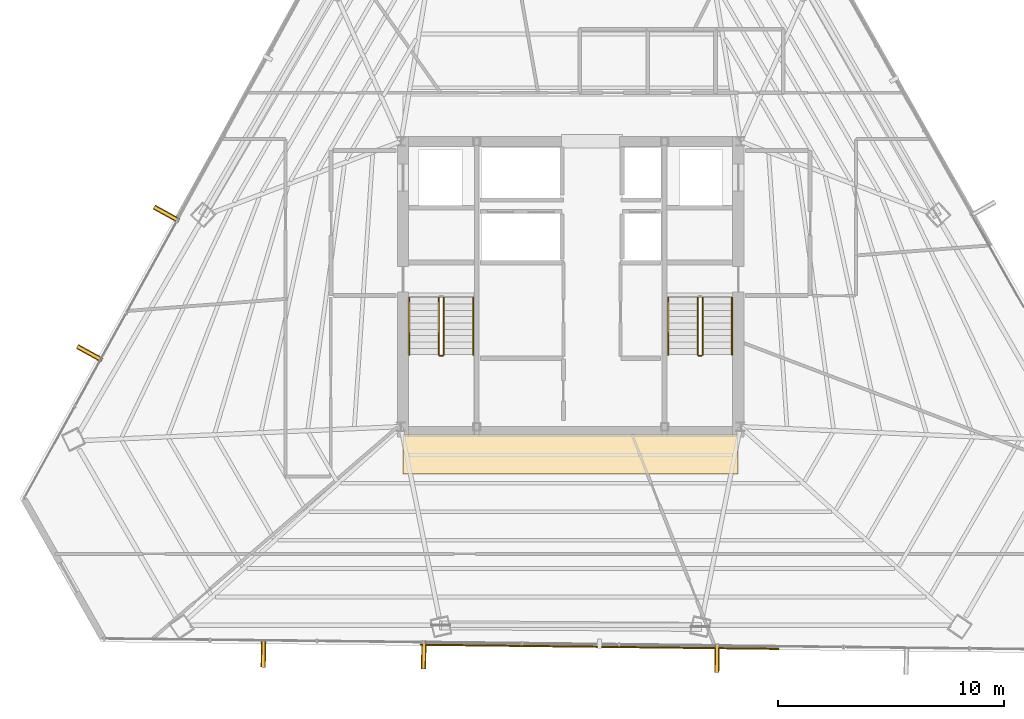
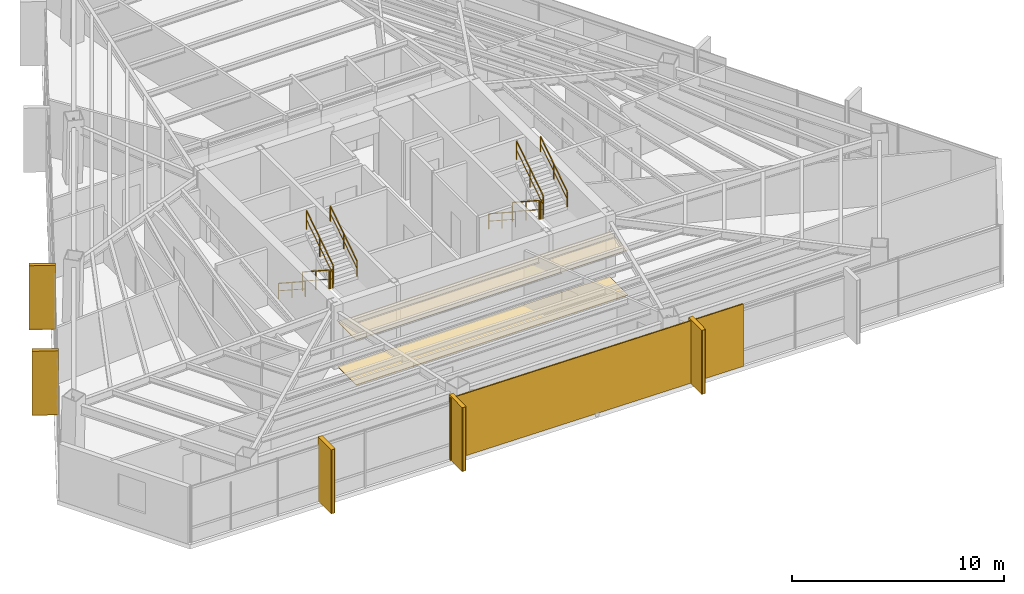
# One storey, part 38 of 40: 10 railings, 7 coverings, 6 shading devices.
"""IFC4 building model written with IfcOpenShell, lengths in metres."""

from ifc_helpers import new_model, si_unit, direction, frame, origin, origin_2d, place, context, subcontext, project, spatial, polyline, rectangle, outline, extrude, source, transform, mapped, material, layer, layer_set, type_object, type_shapes, element, save


model = new_model("IFC4")

# Units and contexts
model_context = context("Model", 3, precision=1e-05, world=origin(), true_north=direction((0.0, 1.0)))
body_context = subcontext(model_context, "Body", "Model", "MODEL_VIEW")
ifc_project = project(units=[si_unit("LENGTHUNIT", "METRE"), si_unit("AREAUNIT", "SQUARE_METRE"), si_unit("VOLUMEUNIT", "CUBIC_METRE"), si_unit("PLANEANGLEUNIT", "RADIAN"), si_unit("MASSUNIT", "GRAM", prefix="KILO")], contexts=[model_context])

# Site, building, storey
site_placement = place(None, origin())
site = spatial("IfcSite", under=ifc_project, at=site_placement, CompositionType="ELEMENT")
building_placement = place(site_placement, origin())
building = spatial("IfcBuilding", under=site, at=building_placement, Name="Caelisora Broadcast Tower", CompositionType="ELEMENT")
storey_placement = place(building_placement, frame((0.0, 0.0, 216.89990234375)))
storey = spatial("IfcBuildingStorey", under=building, at=storey_placement, Name="L57", CompositionType="ELEMENT", Elevation=216.89990234375)

# Coverings
ifc_material_1 = material(Name="Perforated Mineral-Fibre Acoustic Ceiling Tile", Category="gypsum")
ifc_layer_1 = layer(ifc_material_1, 0.034912109375, Name="Perforated Mineral-Fibre Acoustic Ceiling Tile")
ifc_layer_set_1 = layer_set([ifc_layer_1], Name="Perforated Mineral-Fibre Acoustic Ceiling Tile")
covering_type_1 = type_object("IfcCoveringType", Name="CE-1", PredefinedType="CEILING", material=ifc_layer_set_1)
covering_1_placement = place(storey_placement, frame((0.0, 0.0, 2.60009765625)))
element("IfcCovering", 1, at=covering_1_placement, inside=storey, type_object=covering_type_1, Name="L57 acoustic corridor ceiling CE-1 (S)", PredefinedType="CEILING", context=body_context, shape_type="SweptSolid", body=[
    extrude(outline(polyline([(30.60009765625, 15.300048828125), (45.39990234375, 15.300048828125), (45.39990234375, 17.050048828125), (30.60009765625, 17.050048828125), (30.60009765625, 15.300048828125)])), origin(), (0.0, 0.0, 1.0), 0.034912109375),
])
ifc_material_2 = material(Name="Anti-Static Broadcast Raised Access Floor Panel", Category="steel")
ifc_layer_2 = layer(ifc_material_2, 0.044921875, Name="Anti-Static Broadcast Raised Access Floor Panel")
ifc_layer_set_2 = layer_set([ifc_layer_2], Name="Anti-Static Broadcast Raised Access Floor Panel")
covering_type_2 = type_object("IfcCoveringType", Name="FL-1", PredefinedType="FLOORING", material=ifc_layer_set_2)
covering_2_placement = place(storey_placement, origin())
element("IfcCovering", 2, at=covering_2_placement, inside=storey, type_object=covering_type_2, Name="L57 broadcast raised access floor FL-1 (S)", PredefinedType="FLOORING", context=body_context, shape_type="SweptSolid", body=[
    extrude(outline(polyline([(30.60009765625, 15.300048828125), (45.39990234375, 15.300048828125), (45.39990234375, 17.050048828125), (30.60009765625, 17.050048828125), (30.60009765625, 15.300048828125)])), origin(), (0.0, 0.0, 1.0), 0.045166015625),
])

# Railings
ifc_material_3 = material(Name="Galvanised Steel Safety Guardrail", Category="steel")
ifc_layer_3 = layer(ifc_material_3, 0.048095703125, Name="Galvanised Steel Safety Guardrail")
ifc_layer_set_3 = layer_set([ifc_layer_3], Name="Galvanised Steel Safety Guardrail")
railing_type_1 = type_object("IfcRailingType", Name="GR-1", PredefinedType="GUARDRAIL", material=ifc_layer_set_3)
railing_1_placement = place(storey_placement, frame((32.169921875, 23.10009765625, 0.1826171875)))
element("IfcRailing", 3, at=railing_1_placement, inside=storey, type_object=railing_type_1, Name="L57 ST-1 stair guard 1", PredefinedType="GUARDRAIL", context=body_context, shape_type="SweptSolid", body=[
    extrude(rectangle(XDim=0.048095703125, YDim=0.048095703125, at=origin_2d()), frame((0.0, 0.0, 1.076171875), z_axis=(0.0, -0.837749427056, 0.546054848405), x_axis=(1.0, 0.0, 0.0)), (0.0, 0.0, 1.0), 3.008056640625),
    extrude(rectangle(XDim=0.03125, YDim=0.03125, at=origin_2d()), frame((0.0, 0.0, 0.550048828125), z_axis=(0.0, -0.837749427056, 0.546054848405), x_axis=(1.0, 0.0, 0.0)), (0.0, 0.0, 1.0), 3.008056640625),
    extrude(rectangle(XDim=0.0419921875, YDim=0.0419921875, at=origin_2d()), origin(), (0.0, 0.0, 1.0), 1.052001953125),
    extrude(rectangle(XDim=0.0419921875, YDim=0.0419921875, at=origin_2d()), frame((0.0, -1.260009765625, 0.8212890625)), (0.0, 0.0, 1.0), 1.052001953125),
    extrude(rectangle(XDim=0.0419921875, YDim=0.0419921875, at=origin_2d()), frame((0.0, -2.52001953125, 1.642578125)), (0.0, 0.0, 1.0), 1.052001953125),
])
railing_2_placement = place(storey_placement, frame((32.219970703125, 20.530029296875, 1.8251953125)))
element("IfcRailing", 4, at=railing_2_placement, inside=storey, type_object=railing_type_1, Name="L57 ST-1 stair guard 2", PredefinedType="GUARDRAIL", context=body_context, shape_type="SweptSolid", body=[
    extrude(rectangle(XDim=0.048095703125, YDim=0.048095703125, at=origin_2d()), frame((0.0, 0.0, 1.076171875), z_axis=(1.0, 0.0, 0.0), x_axis=(0.0, 1.0, 0.0)), (0.0, 0.0, 1.0), 0.1201171875),
    extrude(rectangle(XDim=0.03125, YDim=0.03125, at=origin_2d()), frame((0.0, 0.0, 0.550048828125), z_axis=(1.0, 0.0, 0.0), x_axis=(0.0, 1.0, 0.0)), (0.0, 0.0, 1.0), 0.1201171875),
    extrude(rectangle(XDim=0.0419921875, YDim=0.0419921875, at=origin_2d()), origin(), (0.0, 0.0, 1.0), 1.052001953125),
    extrude(rectangle(XDim=0.0419921875, YDim=0.0419921875, at=origin_2d()), frame((0.1201171875, 0.0, 0.0)), (0.0, 0.0, 1.0), 1.052001953125),
])
railing_3_placement = place(storey_placement, frame((32.389892578125, 20.580078125, 2.007568359375)))
element("IfcRailing", 5, at=railing_3_placement, inside=storey, type_object=railing_type_1, Name="L57 ST-1 stair guard 3", PredefinedType="GUARDRAIL", context=body_context, shape_type="SweptSolid", body=[
    extrude(rectangle(XDim=0.048095703125, YDim=0.048095703125, at=origin_2d()), frame((0.0, 0.0, 1.076171875), z_axis=(0.0, 0.837749427056, 0.546054848405), x_axis=(-1.0, 0.0, 0.0)), (0.0, 0.0, 1.0), 3.008056640625),
    extrude(rectangle(XDim=0.03125, YDim=0.03125, at=origin_2d()), frame((0.0, 0.0, 0.550048828125), z_axis=(0.0, 0.837749427056, 0.546054848405), x_axis=(-1.0, 0.0, 0.0)), (0.0, 0.0, 1.0), 3.008056640625),
    extrude(rectangle(XDim=0.0419921875, YDim=0.0419921875, at=origin_2d()), origin(), (0.0, 0.0, 1.0), 1.052001953125),
    extrude(rectangle(XDim=0.0419921875, YDim=0.0419921875, at=origin_2d()), frame((0.0, 1.260009765625, 0.8212890625)), (0.0, 0.0, 1.0), 1.052001953125),
    extrude(rectangle(XDim=0.0419921875, YDim=0.0419921875, at=origin_2d()), frame((0.0, 2.52001953125, 1.642578125)), (0.0, 0.0, 1.0), 1.052001953125),
])
railing_4_placement = place(storey_placement, frame((43.610107421875, 23.10009765625, 0.1826171875)))
element("IfcRailing", 6, at=railing_4_placement, inside=storey, type_object=railing_type_1, Name="L57 ST-2 stair guard 1", PredefinedType="GUARDRAIL", context=body_context, shape_type="SweptSolid", body=[
    extrude(rectangle(XDim=0.048095703125, YDim=0.048095703125, at=origin_2d()), frame((0.0, 0.0, 1.076171875), z_axis=(0.0, -0.837749427056, 0.546054848405), x_axis=(1.0, 0.0, 0.0)), (0.0, 0.0, 1.0), 3.008056640625),
    extrude(rectangle(XDim=0.03125, YDim=0.03125, at=origin_2d()), frame((0.0, 0.0, 0.550048828125), z_axis=(0.0, -0.837749427056, 0.546054848405), x_axis=(1.0, 0.0, 0.0)), (0.0, 0.0, 1.0), 3.008056640625),
    extrude(rectangle(XDim=0.0419921875, YDim=0.0419921875, at=origin_2d()), origin(), (0.0, 0.0, 1.0), 1.052001953125),
    extrude(rectangle(XDim=0.0419921875, YDim=0.0419921875, at=origin_2d()), frame((0.0, -1.260009765625, 0.8212890625)), (0.0, 0.0, 1.0), 1.052001953125),
    extrude(rectangle(XDim=0.0419921875, YDim=0.0419921875, at=origin_2d()), frame((0.0, -2.52001953125, 1.642578125)), (0.0, 0.0, 1.0), 1.052001953125),
])
railing_5_placement = place(storey_placement, frame((43.659912109375, 20.530029296875, 1.8251953125)))
element("IfcRailing", 7, at=railing_5_placement, inside=storey, type_object=railing_type_1, Name="L57 ST-2 stair guard 2", PredefinedType="GUARDRAIL", context=body_context, shape_type="SweptSolid", body=[
    extrude(rectangle(XDim=0.048095703125, YDim=0.048095703125, at=origin_2d()), frame((0.0, 0.0, 1.076171875), z_axis=(1.0, 0.0, 0.0), x_axis=(0.0, 1.0, 0.0)), (0.0, 0.0, 1.0), 0.1201171875),
    extrude(rectangle(XDim=0.03125, YDim=0.03125, at=origin_2d()), frame((0.0, 0.0, 0.550048828125), z_axis=(1.0, 0.0, 0.0), x_axis=(0.0, 1.0, 0.0)), (0.0, 0.0, 1.0), 0.1201171875),
    extrude(rectangle(XDim=0.0419921875, YDim=0.0419921875, at=origin_2d()), origin(), (0.0, 0.0, 1.0), 1.052001953125),
    extrude(rectangle(XDim=0.0419921875, YDim=0.0419921875, at=origin_2d()), frame((0.1201171875, 0.0, 0.0)), (0.0, 0.0, 1.0), 1.052001953125),
])
railing_6_placement = place(storey_placement, frame((43.830078125, 20.580078125, 2.007568359375)))
element("IfcRailing", 8, at=railing_6_placement, inside=storey, type_object=railing_type_1, Name="L57 ST-2 stair guard 3", PredefinedType="GUARDRAIL", context=body_context, shape_type="SweptSolid", body=[
    extrude(rectangle(XDim=0.048095703125, YDim=0.048095703125, at=origin_2d()), frame((0.0, 0.0, 1.076171875), z_axis=(0.0, 0.837749427056, 0.546054848405), x_axis=(-1.0, 0.0, 0.0)), (0.0, 0.0, 1.0), 3.008056640625),
    extrude(rectangle(XDim=0.03125, YDim=0.03125, at=origin_2d()), frame((0.0, 0.0, 0.550048828125), z_axis=(0.0, 0.837749427056, 0.546054848405), x_axis=(-1.0, 0.0, 0.0)), (0.0, 0.0, 1.0), 3.008056640625),
    extrude(rectangle(XDim=0.0419921875, YDim=0.0419921875, at=origin_2d()), origin(), (0.0, 0.0, 1.0), 1.052001953125),
    extrude(rectangle(XDim=0.0419921875, YDim=0.0419921875, at=origin_2d()), frame((0.0, 1.260009765625, 0.8212890625)), (0.0, 0.0, 1.0), 1.052001953125),
    extrude(rectangle(XDim=0.0419921875, YDim=0.0419921875, at=origin_2d()), frame((0.0, 2.52001953125, 1.642578125)), (0.0, 0.0, 1.0), 1.052001953125),
])
ifc_material_4 = material(Name="Stainless Steel Grade 316 Tubular Handrail", Category="steel")
ifc_layer_4 = layer(ifc_material_4, 0.048095703125, Name="Stainless Steel Grade 316 Tubular Handrail")
ifc_layer_set_4 = layer_set([ifc_layer_4], Name="Stainless Steel Grade 316 Tubular Handrail")
railing_type_2 = type_object("IfcRailingType", Name="HR-1", PredefinedType="HANDRAIL", material=ifc_layer_set_4)
railing_7_placement = place(storey_placement, frame((30.8701171875, 23.10009765625, 0.1826171875)))
element("IfcRailing", 9, at=railing_7_placement, inside=storey, type_object=railing_type_2, Name="L57 ST-1 stair handrail 1", PredefinedType="HANDRAIL", context=body_context, shape_type="SweptSolid", body=[
    extrude(rectangle(XDim=0.048095703125, YDim=0.048095703125, at=origin_2d()), frame((0.0, 0.0, 0.8759765625), z_axis=(0.0, -0.837749427056, 0.546054848405), x_axis=(1.0, 0.0, 0.0)), (0.0, 0.0, 1.0), 3.008056640625),
    extrude(rectangle(XDim=0.03125, YDim=0.03125, at=origin_2d()), frame((0.0, 0.0, 0.449951171875), z_axis=(0.0, -0.837749427056, 0.546054848405), x_axis=(1.0, 0.0, 0.0)), (0.0, 0.0, 1.0), 3.008056640625),
    extrude(rectangle(XDim=0.0419921875, YDim=0.0419921875, at=origin_2d()), origin(), (0.0, 0.0, 1.0), 0.851806640625),
    extrude(rectangle(XDim=0.0419921875, YDim=0.0419921875, at=origin_2d()), frame((0.0, -1.260009765625, 0.8212890625)), (0.0, 0.0, 1.0), 0.851806640625),
    extrude(rectangle(XDim=0.0419921875, YDim=0.0419921875, at=origin_2d()), frame((0.0, -2.52001953125, 1.642578125)), (0.0, 0.0, 1.0), 0.851806640625),
])
railing_8_placement = place(storey_placement, frame((33.68994140625, 20.580078125, 2.007568359375)))
element("IfcRailing", 10, at=railing_8_placement, inside=storey, type_object=railing_type_2, Name="L57 ST-1 stair handrail 2", PredefinedType="HANDRAIL", context=body_context, shape_type="SweptSolid", body=[
    extrude(rectangle(XDim=0.048095703125, YDim=0.048095703125, at=origin_2d()), frame((0.0, 0.0, 0.8759765625), z_axis=(0.0, 0.837749427056, 0.546054848405), x_axis=(-1.0, 0.0, 0.0)), (0.0, 0.0, 1.0), 3.008056640625),
    extrude(rectangle(XDim=0.03125, YDim=0.03125, at=origin_2d()), frame((0.0, 0.0, 0.449951171875), z_axis=(0.0, 0.837749427056, 0.546054848405), x_axis=(-1.0, 0.0, 0.0)), (0.0, 0.0, 1.0), 3.008056640625),
    extrude(rectangle(XDim=0.0419921875, YDim=0.0419921875, at=origin_2d()), origin(), (0.0, 0.0, 1.0), 0.851806640625),
    extrude(rectangle(XDim=0.0419921875, YDim=0.0419921875, at=origin_2d()), frame((0.0, 1.260009765625, 0.8212890625)), (0.0, 0.0, 1.0), 0.851806640625),
    extrude(rectangle(XDim=0.0419921875, YDim=0.0419921875, at=origin_2d()), frame((0.0, 2.52001953125, 1.642578125)), (0.0, 0.0, 1.0), 0.851806640625),
])
railing_9_placement = place(storey_placement, frame((42.31005859375, 23.10009765625, 0.1826171875)))
element("IfcRailing", 11, at=railing_9_placement, inside=storey, type_object=railing_type_2, Name="L57 ST-2 stair handrail 1", PredefinedType="HANDRAIL", context=body_context, shape_type="SweptSolid", body=[
    extrude(rectangle(XDim=0.048095703125, YDim=0.048095703125, at=origin_2d()), frame((0.0, 0.0, 0.8759765625), z_axis=(0.0, -0.837749427056, 0.546054848405), x_axis=(1.0, 0.0, 0.0)), (0.0, 0.0, 1.0), 3.008056640625),
    extrude(rectangle(XDim=0.03125, YDim=0.03125, at=origin_2d()), frame((0.0, 0.0, 0.449951171875), z_axis=(0.0, -0.837749427056, 0.546054848405), x_axis=(1.0, 0.0, 0.0)), (0.0, 0.0, 1.0), 3.008056640625),
    extrude(rectangle(XDim=0.0419921875, YDim=0.0419921875, at=origin_2d()), origin(), (0.0, 0.0, 1.0), 0.851806640625),
    extrude(rectangle(XDim=0.0419921875, YDim=0.0419921875, at=origin_2d()), frame((0.0, -1.260009765625, 0.8212890625)), (0.0, 0.0, 1.0), 0.851806640625),
    extrude(rectangle(XDim=0.0419921875, YDim=0.0419921875, at=origin_2d()), frame((0.0, -2.52001953125, 1.642578125)), (0.0, 0.0, 1.0), 0.851806640625),
])
railing_10_placement = place(storey_placement, frame((45.1298828125, 20.580078125, 2.007568359375)))
element("IfcRailing", 12, at=railing_10_placement, inside=storey, type_object=railing_type_2, Name="L57 ST-2 stair handrail 2", PredefinedType="HANDRAIL", context=body_context, shape_type="SweptSolid", body=[
    extrude(rectangle(XDim=0.048095703125, YDim=0.048095703125, at=origin_2d()), frame((0.0, 0.0, 0.8759765625), z_axis=(0.0, 0.837749427056, 0.546054848405), x_axis=(-1.0, 0.0, 0.0)), (0.0, 0.0, 1.0), 3.008056640625),
    extrude(rectangle(XDim=0.03125, YDim=0.03125, at=origin_2d()), frame((0.0, 0.0, 0.449951171875), z_axis=(0.0, 0.837749427056, 0.546054848405), x_axis=(-1.0, 0.0, 0.0)), (0.0, 0.0, 1.0), 3.008056640625),
    extrude(rectangle(XDim=0.0419921875, YDim=0.0419921875, at=origin_2d()), origin(), (0.0, 0.0, 1.0), 0.851806640625),
    extrude(rectangle(XDim=0.0419921875, YDim=0.0419921875, at=origin_2d()), frame((0.0, 1.260009765625, 0.8212890625)), (0.0, 0.0, 1.0), 0.851806640625),
    extrude(rectangle(XDim=0.0419921875, YDim=0.0419921875, at=origin_2d()), frame((0.0, 2.52001953125, 1.642578125)), (0.0, 0.0, 1.0), 0.851806640625),
])

# Coverings
ifc_material_5 = material(Name="Kiln-Fired Terracotta Spandrel Rainscreen Cladding", Category="ceramic")
ifc_layer_5 = layer(ifc_material_5, 0.044921875, Name="Kiln-Fired Terracotta Spandrel Rainscreen Cladding")
ifc_layer_set_5 = layer_set([ifc_layer_5], Name="Kiln-Fired Terracotta Spandrel Rainscreen Cladding")
covering_type_3 = type_object("IfcCoveringType", Name="CL-1", PredefinedType="CLADDING", material=ifc_layer_set_5)
shared_shape_1 = source(origin(), body_context, "Body", "SweptSolid", [
    extrude(rectangle(XDim=0.219970703125, YDim=1.25, at=origin_2d()), origin(), (0.0, 0.0, 1.0), 3.68994140625),
])
type_shapes(covering_type_3, [shared_shape_1])
for number, where, z_axis, x_axis, name in (
    (13, (44.46142578125, 7.16064453125, -0.019775390625), (0.0, 0.0, 1.0), (-0.99993365506, 0.011518918316, 0.0), "L57 vertical solar fin cladding #2-2"),
    (14, (31.50830078125, 7.309814453125, -0.019775390625), (0.0, 0.0, 1.0), (-0.99993365506, 0.011518918316, 0.0), "L57 vertical solar fin cladding #2-3"),
    (15, (24.422119140625, 7.3916015625, -0.019775390625), (0.0, 0.0, 1.0), (-0.99993365506, 0.011518918316, 0.0), "L57 vertical solar fin cladding #2-4"),
    (16, (16.747314453125, 20.639892578125, -0.019775390625), (0.0, 0.0, 1.0), (0.482823924874, 0.875717453046, 0.0), "L57 vertical solar fin cladding #3-1"),
    (17, (20.14306640625, 26.798095703125, -0.019775390625), (0.0, 0.0, 1.0), (0.482823924874, 0.875717453046, 0.0), "L57 vertical solar fin cladding #3-2"),
):
    element("IfcCovering", number, at=place(storey_placement, frame(where, z_axis=z_axis, x_axis=x_axis)), inside=storey, type_object=covering_type_3, Name=name, PredefinedType="CLADDING", context=body_context, shape_type="MappedRepresentation", body=[
        mapped(shared_shape_1, transform((0.0, 0.0, 0.0), scale=1.0)),
    ])

# Shading devices
ifc_material_6 = material(Name="Extruded Terracotta Flaring Colonnade Fin", Category="ceramic")
ifc_layer_6 = layer(ifc_material_6, 0.139892578125, Name="Extruded Terracotta Flaring Colonnade Fin")
ifc_layer_set_6 = layer_set([ifc_layer_6], Name="Extruded Terracotta Flaring Colonnade Fin")
shading_device_type_1 = type_object("IfcShadingDeviceType", Name="FN-1", PredefinedType="USERDEFINED", material=ifc_layer_set_6)
shared_shape_2 = source(origin(), body_context, "Body", "SweptSolid", [
    extrude(rectangle(XDim=0.139892578125, YDim=1.25, at=origin_2d()), origin(), (0.0, 0.0, 1.0), 3.669921875),
])
type_shapes(shading_device_type_1, [shared_shape_2])
for number, where, z_axis, x_axis, name in (
    (18, (44.46142578125, 7.16064453125, -0.009765625), (0.0, 0.0, 1.0), (-0.99993365506, 0.011518918316, 0.0), "L57 vertical terracotta fin #2-2"),
    (19, (31.50830078125, 7.309814453125, -0.009765625), (0.0, 0.0, 1.0), (-0.99993365506, 0.011518918316, 0.0), "L57 vertical terracotta fin #2-3"),
    (20, (24.422119140625, 7.3916015625, -0.009765625), (0.0, 0.0, 1.0), (-0.99993365506, 0.011518918316, 0.0), "L57 vertical terracotta fin #2-4"),
    (21, (16.747314453125, 20.639892578125, -0.009765625), (0.0, 0.0, 1.0), (0.482823924874, 0.875717453046, 0.0), "L57 vertical terracotta fin #3-1"),
    (22, (20.14306640625, 26.798095703125, -0.009765625), (0.0, 0.0, 1.0), (0.482823924874, 0.875717453046, 0.0), "L57 vertical terracotta fin #3-2"),
):
    element("IfcShadingDevice", number, at=place(storey_placement, frame(where, z_axis=z_axis, x_axis=x_axis)), inside=storey, type_object=shading_device_type_1, Name=name, ObjectType="FIN", PredefinedType="USERDEFINED", context=body_context, shape_type="MappedRepresentation", body=[
        mapped(shared_shape_2, transform((0.0, 0.0, 0.0), scale=1.0)),
    ])
ifc_material_7 = material(Name="Perforated Glazed Terracotta Baguette Solar Screen", Category="ceramic")
ifc_layer_7 = layer(ifc_material_7, 0.06494140625, Name="Perforated Glazed Terracotta Baguette Solar Screen")
ifc_layer_set_7 = layer_set([ifc_layer_7], Name="Perforated Glazed Terracotta Baguette Solar Screen")
shading_device_type_2 = type_object("IfcShadingDeviceType", Name="SS-1", PredefinedType="USERDEFINED", material=ifc_layer_set_7)
shared_shape_3 = source(origin(), body_context, "Body", "SweptSolid", [
    extrude(rectangle(XDim=15.85498046875, YDim=0.06494140625, at=origin_2d()), origin(), (0.0, 0.0, 1.0), 3.590087890625),
])
type_shapes(shading_device_type_2, [shared_shape_3])
shading_device_placement = place(storey_placement, frame((39.27392578125, 7.67041015625, 0.0), z_axis=(0.0, 0.0, 1.0), x_axis=(0.99993365506, -0.011518918316, 0.0)))
element("IfcShadingDevice", 23, at=shading_device_placement, inside=storey, type_object=shading_device_type_2, Name="L57 perforated terracotta solar screen #2", ObjectType="SOLAR SCREEN", PredefinedType="USERDEFINED", context=body_context, shape_type="MappedRepresentation", body=[
    mapped(shared_shape_3, transform((0.0, 0.0, 0.0), scale=1.0)),
])

save(model, "model.ifc")
